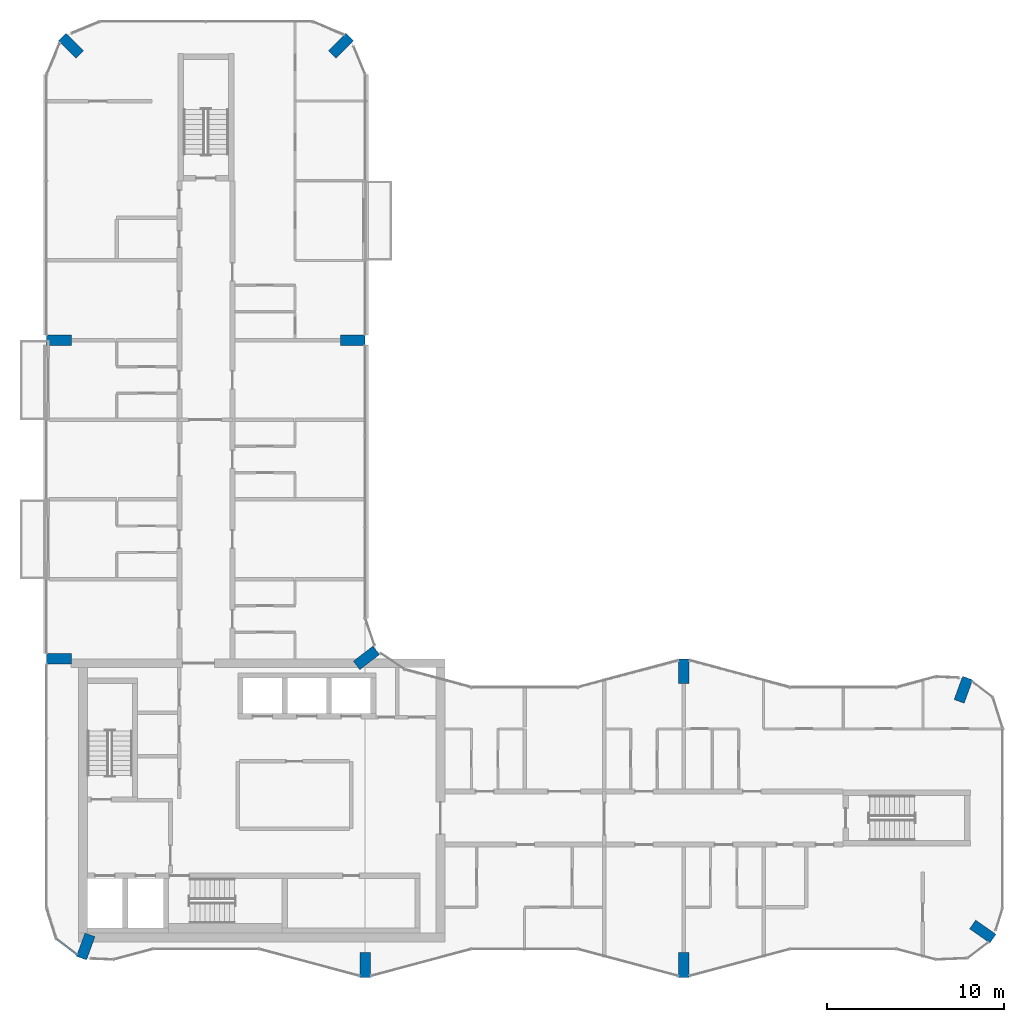
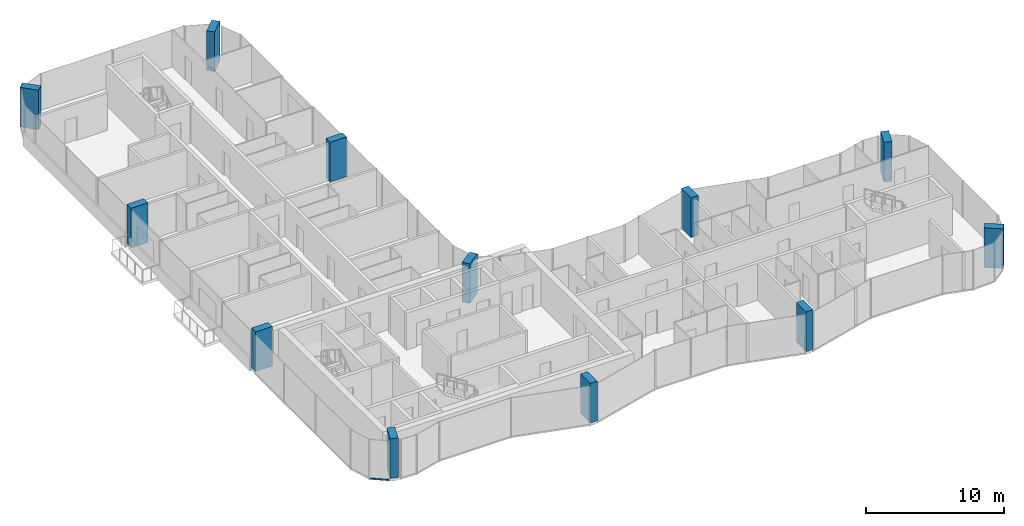
# One storey, part 1 of 16: 12 columns, 1 member, 1 element without a shape of its own.
"""IFC4 building model written with IfcOpenShell, lengths in metres."""

from ifc_helpers import new_model, si_unit, direction, frame, origin, origin_2d, place, context, subcontext, project, spatial, rectangle, extrude, material, layer, layer_set, material_profile, profile_set, type_object, element, aggregate, save


model = new_model("IFC4")

# Units and contexts
model_context = context("Model", 3, precision=1e-05, world=origin(), true_north=direction((0.0, 1.0)))
body_context = subcontext(model_context, "Body", "Model", "MODEL_VIEW")
ifc_project = project(units=[si_unit("LENGTHUNIT", "METRE"), si_unit("AREAUNIT", "SQUARE_METRE"), si_unit("VOLUMEUNIT", "CUBIC_METRE"), si_unit("PLANEANGLEUNIT", "RADIAN"), si_unit("MASSUNIT", "GRAM", prefix="KILO")], contexts=[model_context])

# Site, building, storey
site_placement = place(None, origin())
site = spatial("IfcSite", under=ifc_project, at=site_placement, CompositionType="ELEMENT")
building_placement = place(site_placement, origin())
building = spatial("IfcBuilding", under=site, at=building_placement, Name="Plateau Cross Towers", CompositionType="ELEMENT")
storey_placement = place(building_placement, frame((0.0, 0.0, 218.89990234375)))
storey = spatial("IfcBuildingStorey", under=building, at=storey_placement, Name="L57", CompositionType="ELEMENT", Elevation=218.89990234375)

# Columns
ifc_material_1 = material(Name="Concrete C60/75", Category="concrete")
ifc_material_profile_1 = material_profile(ifc_material_1, rectangle(XDim=0.60009765625, YDim=1.39990234375, at=origin_2d()), Name="RC 600x1400")
ifc_profile_set_1 = profile_set([ifc_material_profile_1], Name="Concrete C60/75")
column_type = type_object("IfcColumnType", Name="Fin pier column RC 600x1400", PredefinedType="COLUMN", material=ifc_profile_set_1)
for number, where, z_axis, x_axis, name in (
    (1, (18.0, 0.699951171875, 0.0), (0.0, 0.0, 1.0), (1.0, 0.0, 0.0), "PR1 L57"),
    (2, (36.0, 0.699951171875, 0.0), (0.0, 0.0, 1.0), (1.0, 0.0, 0.0), "PR2 L57"),
    (3, (52.884033203125, 2.590087890625, 0.0), (0.0, 0.0, 1.0), (0.573542637991, 0.819175709117, 0.0), "PR3 L57"),
    (4, (51.786865234375, 16.251953125, 0.0), (0.0, 0.0, 1.0), (-0.939664280925, 0.342097996418, 0.0), "PR4 L57"),
    (5, (36.0, 17.300048828125, 0.0), (0.0, 0.0, 1.0), (1.0, 0.0, 0.0), "PR5 L57"),
    (6, (18.064697265625, 18.049560546875, 0.0), (0.0, 0.0, 1.0), (-0.608810846443, 0.793315418515, 0.0), "PR6 L57"),
    (7, (17.300048828125, 36.0, 0.0), (0.0, 0.0, 1.0), (0.0, 1.0, 0.0), "PR7 L57"),
    (8, (16.62646484375, 52.62646484375, 0.0), (0.0, 0.0, 1.0), (-0.707106781187, 0.707106781187, 0.0), "PR8 L57"),
    (9, (1.37353515625, 52.62646484375, 0.0), (0.0, 0.0, 1.0), (0.707106781187, 0.707106781187, 0.0), "PR9 L57"),
    (10, (0.699951171875, 36.0, 0.0), (0.0, 0.0, 1.0), (0.0, 1.0, 0.0), "PR10 L57"),
    (11, (0.699951171875, 18.0, 0.0), (0.0, 0.0, 1.0), (0.0, 1.0, 0.0), "PR11 L57"),
    (12, (2.213134765625, 1.748046875, 0.0), (0.0, 0.0, 1.0), (-0.939664280925, 0.342097996418, 0.0), "PR12 L57"),
):
    element("IfcColumn", number, at=place(storey_placement, frame(where, z_axis=z_axis, x_axis=x_axis)), inside=storey, type_object=column_type, Name=name, PredefinedType="COLUMN", context=body_context, shape_type="SweptSolid", body=[
        extrude(rectangle(XDim=0.60009765625, YDim=1.39990234375, at=origin_2d()), origin(), (0.0, 0.0, 1.0), 3.5),
    ])

# Curtain wall, member
ifc_material_2 = material(Name="Dark low-iron glass", Category="glass")
ifc_layer = layer(ifc_material_2, 0.239990234375)
ifc_layer_set = layer_set([ifc_layer], Name="Dark low-iron glass")
curtain_wall_type = type_object("IfcCurtainWallType", Name="Curtain wall flush unitised CW-B", PredefinedType="NOTDEFINED", material=ifc_layer_set)
curtain_wall_placement = place(storey_placement, origin())
curtain_wall = element("IfcCurtainWall", 13, at=curtain_wall_placement, inside=storey, type_object=curtain_wall_type, Name="ENV/A/L57/A5_22", PredefinedType="NOTDEFINED")
ifc_material_3 = material(Name="Black anodised aluminium", Category="aluminium")
ifc_material_profile_2 = material_profile(ifc_material_3, rectangle(XDim=0.10009765625, YDim=0.1201171875, at=origin_2d()), Name="TRANSOM 100x120")
ifc_profile_set_2 = profile_set([ifc_material_profile_2], Name="Black anodised aluminium")
member_type = type_object("IfcMemberType", Name="Transom 100x120 flush unitised", PredefinedType="USERDEFINED", material=ifc_profile_set_2)
member_placement = place(storey_placement, frame((0.54248046875, 2.1884765625, -0.18994140625), z_axis=(0.793320508571, -0.608804213751, 0.0), x_axis=(0.608804213751, 0.793320508571, 0.0)))
member = element("IfcMember", 14, at=member_placement, type_object=member_type, Name="CW-B transom", ObjectType="TRANSOM", PredefinedType="USERDEFINED", context=body_context, shape_type="SweptSolid", body=[
    extrude(rectangle(XDim=0.10009765625, YDim=0.1201171875, at=origin_2d()), origin(), (0.0, 0.0, 1.0), 1.471435546875),
])
aggregate(curtain_wall, [member])

save(model, "model.ifc")
